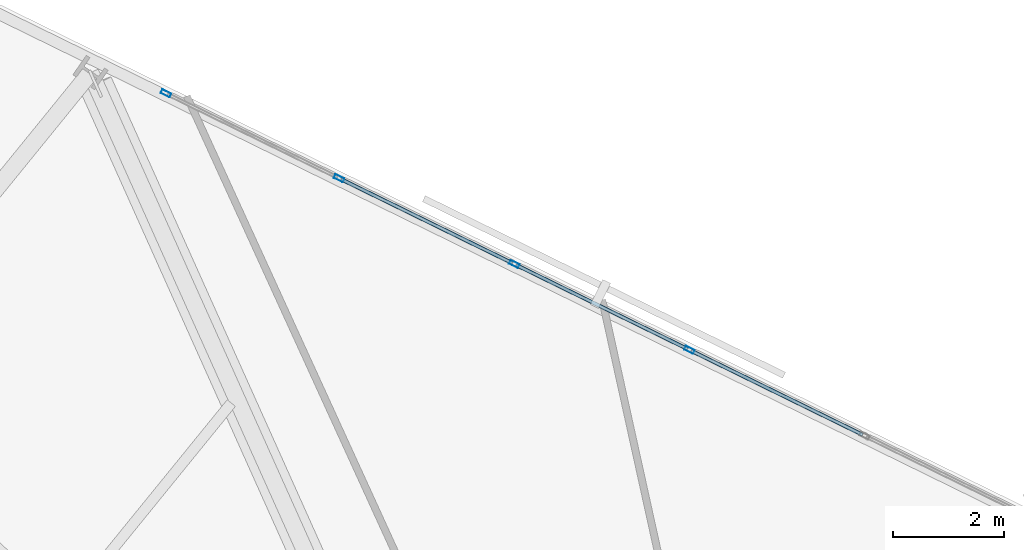
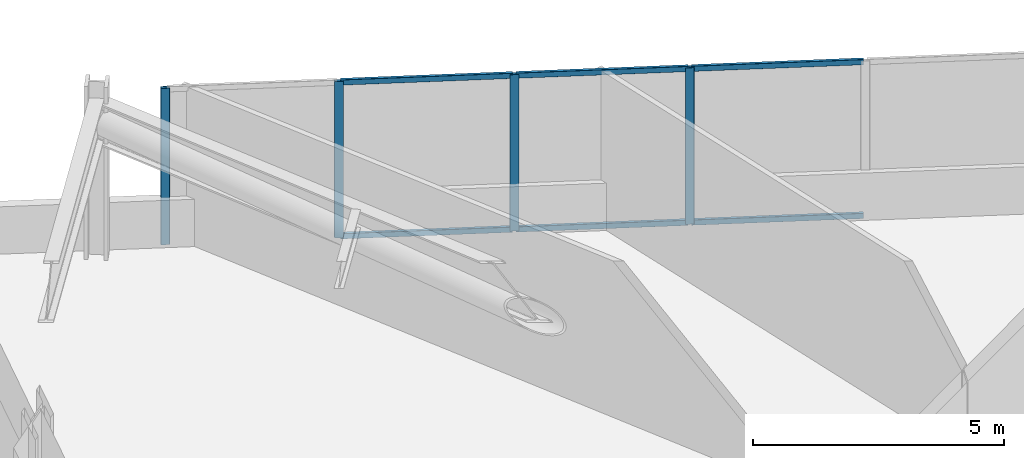
# One storey, part 10 of 19: 10 members, 1 element without a shape of its own.
"""IFC4 building model written with IfcOpenShell, lengths in metres."""

from ifc_helpers import new_model, si_unit, direction, frame, origin, origin_2d, place, context, subcontext, project, spatial, hollow_rectangle, extrude, material, material_profile, profile_set, type_object, element, aggregate, save


model = new_model("IFC4")

# Units and contexts
model_context = context("Model", 3, precision=1e-05, world=origin(), true_north=direction((0.0, 1.0)))
body_context = subcontext(model_context, "Body", "Model", "MODEL_VIEW")
ifc_project = project(units=[si_unit("LENGTHUNIT", "METRE"), si_unit("AREAUNIT", "SQUARE_METRE"), si_unit("VOLUMEUNIT", "CUBIC_METRE"), si_unit("PLANEANGLEUNIT", "RADIAN"), si_unit("MASSUNIT", "GRAM", prefix="KILO")], contexts=[model_context])

# Site, building, storey
site_placement = place(None, origin())
site = spatial("IfcSite", under=ifc_project, at=site_placement, CompositionType="ELEMENT")
building_placement = place(site_placement, origin())
building = spatial("IfcBuilding", under=site, at=building_placement, Name="Narakoshi Arena Tower", CompositionType="ELEMENT")
storey_placement = place(building_placement, frame((0.0, 0.0, 128.10009765625)))
storey = spatial("IfcBuildingStorey", under=building, at=storey_placement, Name="L34", CompositionType="ELEMENT", Elevation=128.10009765625)

# Curtain wall, members
ifc_material = material(Name="Anodised bronze aluminium 6063-T6", Category="aluminium")
curtain_wall_type = type_object("IfcCurtainWallType", Name="CW-HYP-LOW", PredefinedType="NOTDEFINED", material=ifc_material)
curtain_wall_placement = place(storey_placement, origin())
curtain_wall = element("IfcCurtainWall", 1, at=curtain_wall_placement, inside=storey, type_object=curtain_wall_type, Name="L34 Folded Hypotenuse Curtain Wall 2-1", PredefinedType="NOTDEFINED")
ifc_material_profile_1 = material_profile(ifc_material, hollow_rectangle(XDim=0.074951171875, YDim=0.179931640625, WallThickness=0.00390625, OuterFilletRadius=0.0048828125, at=origin_2d()), Name="MUL180x75x4")
ifc_profile_set_1 = profile_set([ifc_material_profile_1], Name="Anodised bronze aluminium 6063-T6")
member_type_1 = type_object("IfcMemberType", Name="MEM-MUL-180", PredefinedType="MULLION", material=ifc_profile_set_1)
member_1_placement = place(storey_placement, frame((75.063720703125, 68.6572265625, 0.0), z_axis=(0.0, 0.0, 1.0), x_axis=(-0.44000392268, -0.897995850784, 0.0)))
member_1 = element("IfcMember", 2, at=member_1_placement, type_object=member_type_1, Name="CW-01 mullion 5", PredefinedType="MULLION", context=body_context, shape_type="SweptSolid", body=[
    extrude(hollow_rectangle(XDim=0.074951171875, YDim=0.179931640625, WallThickness=0.00390625, OuterFilletRadius=0.0048828125, at=origin_2d()), origin(), (0.0, 0.0, 1.0), 3.7998046875),
])
member_2_placement = place(storey_placement, frame((71.92138671875, 70.19677734375, 0.0), z_axis=(0.0, 0.0, 1.0), x_axis=(-0.44000392268, -0.897995850784, 0.0)))
member_2 = element("IfcMember", 3, at=member_2_placement, type_object=member_type_1, Name="CW-01 mullion 6", PredefinedType="MULLION", context=body_context, shape_type="SweptSolid", body=[
    extrude(hollow_rectangle(XDim=0.074951171875, YDim=0.179931640625, WallThickness=0.00390625, OuterFilletRadius=0.0048828125, at=origin_2d()), origin(), (0.0, 0.0, 1.0), 3.7998046875),
])
member_3_placement = place(storey_placement, frame((68.779296875, 71.736572265625, 0.0), z_axis=(0.0, 0.0, 1.0), x_axis=(-0.44000392268, -0.897995850784, 0.0)))
member_3 = element("IfcMember", 4, at=member_3_placement, type_object=member_type_1, Name="CW-01 mullion 7", PredefinedType="MULLION", context=body_context, shape_type="SweptSolid", body=[
    extrude(hollow_rectangle(XDim=0.074951171875, YDim=0.179931640625, WallThickness=0.00390625, OuterFilletRadius=0.0048828125, at=origin_2d()), origin(), (0.0, 0.0, 1.0), 3.7998046875),
])
member_4_placement = place(storey_placement, frame((65.670654296875, 73.259521484375, 0.0), z_axis=(0.0, 0.0, 1.0), x_axis=(-0.44000392268, -0.897995850784, 0.0)))
member_4 = element("IfcMember", 5, at=member_4_placement, type_object=member_type_1, Name="CW-01 mullion 8", PredefinedType="MULLION", context=body_context, shape_type="SweptSolid", body=[
    extrude(hollow_rectangle(XDim=0.074951171875, YDim=0.179931640625, WallThickness=0.00390625, OuterFilletRadius=0.0048828125, at=origin_2d()), origin(), (0.0, 0.0, 1.0), 3.7998046875),
])
ifc_material_profile_2 = material_profile(ifc_material, hollow_rectangle(XDim=0.06494140625, YDim=0.1298828125, WallThickness=0.00390625, OuterFilletRadius=0.0048828125, at=origin_2d()), Name="TRN130x65x4")
ifc_profile_set_2 = profile_set([ifc_material_profile_2], Name="Anodised bronze aluminium 6063-T6")
member_type_2 = type_object("IfcMemberType", Name="MEM-TRN-130", PredefinedType="USERDEFINED", material=ifc_profile_set_2)
member_5_placement = place(storey_placement, frame((78.172119140625, 67.134033203125, 0.032470703125), z_axis=(-0.897991992009, 0.440011797895, 0.0), x_axis=(-0.440011797895, -0.897991992009, 0.0)))
member_5 = element("IfcMember", 6, at=member_5_placement, type_object=member_type_2, Name="CW-01 transom 4.1", ObjectType="TRANSOM", PredefinedType="USERDEFINED", context=body_context, shape_type="SweptSolid", body=[
    extrude(hollow_rectangle(XDim=0.06494140625, YDim=0.1298828125, WallThickness=0.00390625, OuterFilletRadius=0.0048828125, at=origin_2d()), origin(), (0.0, 0.0, 1.0), 3.424072265625),
])
member_6_placement = place(storey_placement, frame((78.172119140625, 67.134033203125, 3.767333984375), z_axis=(-0.897991992009, 0.440011797895, 0.0), x_axis=(-0.440011797895, -0.897991992009, 0.0)))
member_6 = element("IfcMember", 7, at=member_6_placement, type_object=member_type_2, Name="CW-01 transom 4.2", ObjectType="TRANSOM", PredefinedType="USERDEFINED", context=body_context, shape_type="SweptSolid", body=[
    extrude(hollow_rectangle(XDim=0.06494140625, YDim=0.1298828125, WallThickness=0.00390625, OuterFilletRadius=0.0048828125, at=origin_2d()), origin(), (0.0, 0.0, 1.0), 3.424072265625),
])
member_7_placement = place(storey_placement, frame((75.030029296875, 68.673583984375, 0.032470703125), z_axis=(-0.897977624125, 0.440041119182, 0.0), x_axis=(-0.440041119182, -0.897977624125, 0.0)))
member_7 = element("IfcMember", 8, at=member_7_placement, type_object=member_type_2, Name="CW-01 transom 5.1", ObjectType="TRANSOM", PredefinedType="USERDEFINED", context=body_context, shape_type="SweptSolid", body=[
    extrude(hollow_rectangle(XDim=0.06494140625, YDim=0.1298828125, WallThickness=0.00390625, OuterFilletRadius=0.0048828125, at=origin_2d()), origin(), (0.0, 0.0, 1.0), 3.42431640625),
])
member_8_placement = place(storey_placement, frame((75.030029296875, 68.673583984375, 3.767333984375), z_axis=(-0.897977624125, 0.440041119182, 0.0), x_axis=(-0.440041119182, -0.897977624125, 0.0)))
member_8 = element("IfcMember", 9, at=member_8_placement, type_object=member_type_2, Name="CW-01 transom 5.2", ObjectType="TRANSOM", PredefinedType="USERDEFINED", context=body_context, shape_type="SweptSolid", body=[
    extrude(hollow_rectangle(XDim=0.06494140625, YDim=0.1298828125, WallThickness=0.00390625, OuterFilletRadius=0.0048828125, at=origin_2d()), origin(), (0.0, 0.0, 1.0), 3.42431640625),
])
member_9_placement = place(storey_placement, frame((71.8876953125, 70.21337890625, 0.032470703125), z_axis=(-0.897991992009, 0.440011797895, 0.0), x_axis=(-0.440011797895, -0.897991992009, 0.0)))
member_9 = element("IfcMember", 10, at=member_9_placement, type_object=member_type_2, Name="CW-01 transom 6.1", ObjectType="TRANSOM", PredefinedType="USERDEFINED", context=body_context, shape_type="SweptSolid", body=[
    extrude(hollow_rectangle(XDim=0.06494140625, YDim=0.1298828125, WallThickness=0.00390625, OuterFilletRadius=0.0048828125, at=origin_2d()), origin(), (0.0, 0.0, 1.0), 3.424072265625),
])
member_10_placement = place(storey_placement, frame((71.8876953125, 70.21337890625, 3.767333984375), z_axis=(-0.897991992009, 0.440011797895, 0.0), x_axis=(-0.440011797895, -0.897991992009, 0.0)))
member_10 = element("IfcMember", 11, at=member_10_placement, type_object=member_type_2, Name="CW-01 transom 6.2", ObjectType="TRANSOM", PredefinedType="USERDEFINED", context=body_context, shape_type="SweptSolid", body=[
    extrude(hollow_rectangle(XDim=0.06494140625, YDim=0.1298828125, WallThickness=0.00390625, OuterFilletRadius=0.0048828125, at=origin_2d()), origin(), (0.0, 0.0, 1.0), 3.424072265625),
])
aggregate(curtain_wall, [member_1, member_2, member_3, member_4, member_5, member_6, member_7, member_8, member_9, member_10])

save(model, "model.ifc")
